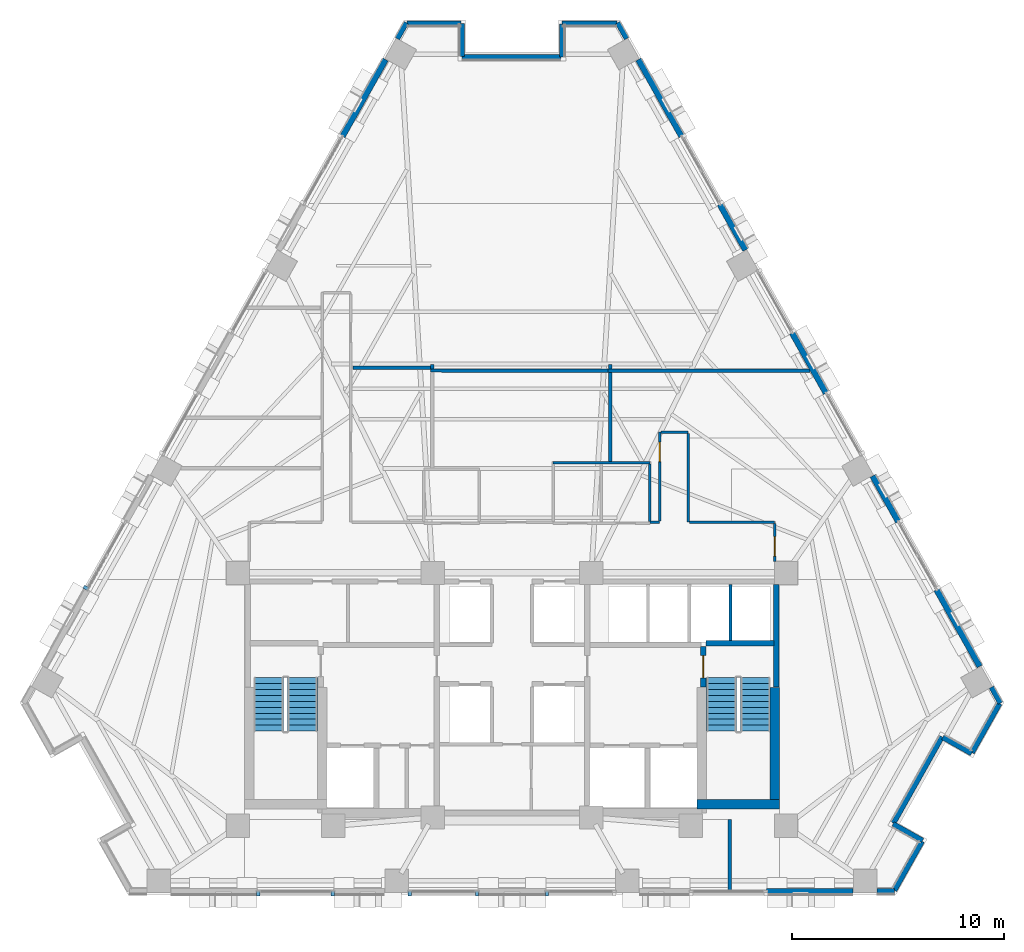
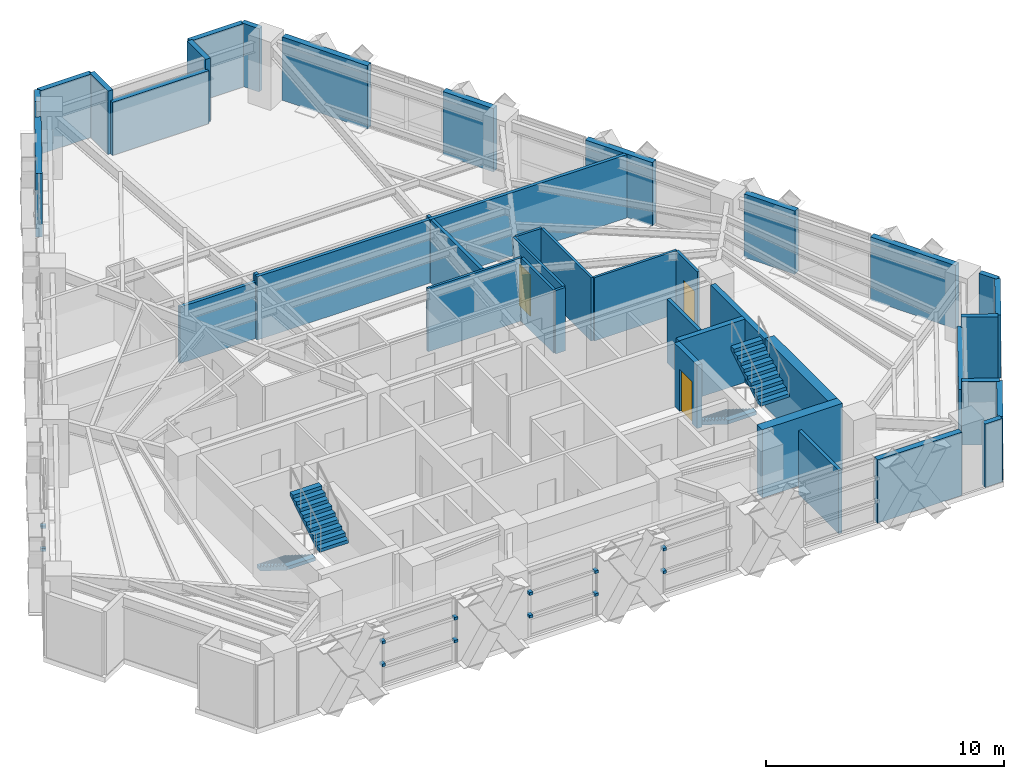
# One storey, part 9 of 14: 42 walls, 12 discrete accessories, 4 stair flights, 3 doors, 3 openings, 2 elements without a shape of their own.
"""IFC4 building model written with IfcOpenShell, lengths in metres."""

from ifc_helpers import new_model, si_unit, direction, frame, frame_2d, origin, origin_2d, place, context, subcontext, project, spatial, polyline, rectangle, outline, extrude, material, layer, layer_set, type_object, element, fill, aggregate, save


model = new_model("IFC4")

# Units and contexts
model_context = context("Model", 3, precision=1e-05, world=origin(), true_north=direction((0.0, 1.0)))
body_context = subcontext(model_context, "Body", "Model", "MODEL_VIEW")
ifc_project = project(units=[si_unit("LENGTHUNIT", "METRE"), si_unit("AREAUNIT", "SQUARE_METRE"), si_unit("VOLUMEUNIT", "CUBIC_METRE"), si_unit("PLANEANGLEUNIT", "RADIAN"), si_unit("MASSUNIT", "GRAM", prefix="KILO")], contexts=[model_context])

# Site, building, storey
site_placement = place(None, origin())
site = spatial("IfcSite", under=ifc_project, at=site_placement, CompositionType="ELEMENT")
building_placement = place(site_placement, origin())
building = spatial("IfcBuilding", under=site, at=building_placement, Name="Quenlor Broadcast Tower", CompositionType="ELEMENT")
storey_placement = place(building_placement, frame((0.0, 0.0, 123.0)))
storey = spatial("IfcBuildingStorey", under=building, at=storey_placement, Name="L33", CompositionType="ELEMENT", Elevation=123.0)

# Walls
ifc_material_1 = material(Name="Concrete C50/60", Category="concrete")
ifc_layer_1 = layer(ifc_material_1, 0.449951171875)
ifc_layer_set_1 = layer_set([ifc_layer_1], Name="Core Concrete C50/60 Shear Wall 450")
wall_type_1 = type_object("IfcWallType", Name="Core Concrete C50/60 Shear Wall 450", PredefinedType="SHEAR", material=ifc_layer_set_1)
wall_1_placement = place(storey_placement, frame((8.75, -15.72509765625, 0.0), z_axis=(0.0, 0.0, 1.0), x_axis=(1.0, 0.0, 0.0)))
element("IfcWall", 1, at=wall_1_placement, inside=storey, type_object=wall_type_1, Name="L33 Core Shear Wall WS-E2", PredefinedType="SHEAR", context=body_context, shape_type="SweptSolid", body=[
    extrude(rectangle(XDim=3.89990234375, YDim=0.449951171875, at=frame_2d((1.949951171875, 0.0))), origin(), (0.0, 0.0, 1.0), 3.5),
])
wall_2_placement = place(storey_placement, frame((12.425048828125, -15.72509765625, 0.0), z_axis=(0.0, 0.0, 1.0), x_axis=(0.0, 1.0, 0.0)))
element("IfcWall", 2, at=wall_2_placement, inside=storey, type_object=wall_type_1, Name="L33 Core Shear Wall WF-E", PredefinedType="SHEAR", context=body_context, shape_type="SweptSolid", body=[
    extrude(rectangle(XDim=5.525146484375, YDim=0.449951171875, at=frame_2d((2.7626953125, 0.0))), origin(), (0.0, 0.0, 1.0), 3.5),
])

# Wall, opening, door
ifc_material_2 = material(Name="Concrete C40/50", Category="concrete")
ifc_layer_2 = layer(ifc_material_2, 0.25)
ifc_layer_set_2 = layer_set([ifc_layer_2], Name="Fire Rated Concrete C40/50 Core Wall 250")
wall_type_2 = type_object("IfcWallType", Name="Fire Rated Concrete C40/50 Core Wall 250", PredefinedType="PARTITIONING", material=ifc_layer_set_2)
wall_3_placement = place(storey_placement, frame((9.0400390625, -10.179931640625, 0.0), z_axis=(0.0, 0.0, 1.0), x_axis=(0.0, 1.0, 0.0)))
wall_3 = element("IfcWall", 3, at=wall_3_placement, inside=storey, type_object=wall_type_2, Name="L33 Interior Wall CW-ST2-DR", PredefinedType="PARTITIONING", context=body_context, shape_type="SweptSolid", body=[
    extrude(rectangle(XDim=1.89990234375, YDim=0.25, at=frame_2d((0.949951171875, 0.0))), origin(), (0.0, 0.0, 1.0), 3.25),
])
opening_1_placement = place(wall_3_placement, frame((0.419921875, 0.0, 0.0)))
opening_1 = element("IfcOpeningElement", 4, at=opening_1_placement, cuts=wall_3, Name="Opening FD-1", PredefinedType="OPENING", context=body_context, shape_type="SweptSolid", body=[
    extrude(rectangle(XDim=1.050048828125, YDim=2.14990234375, at=frame_2d((0.52490234375, 1.074951171875))), frame((0.0, 0.135009765625, 0.0), z_axis=(0.0, -1.0, 0.0), x_axis=(1.0, 0.0, 0.0)), (0.0, 0.0, 1.0), 0.27001953125),
])
ifc_material_3 = material(Name="Fire Rated Steel Door Leaf", Category="steel")
door_type_1 = type_object("IfcDoorType", Name="Fire Isolated Stair Door 1050x2150", OperationType="NOTDEFINED", PredefinedType="DOOR", material=ifc_material_3)
door_1_placement = place(opening_1_placement, origin())
door_1 = element("IfcDoor", 5, at=door_1_placement, inside=storey, type_object=door_type_1, Name="L33 Door DR-ST2", OperationType="SINGLE_SWING_RIGHT", OverallHeight=2.14990234375, OverallWidth=1.050048828125, PredefinedType="DOOR", context=body_context, shape_type="SweptSolid", body=[
    extrude(rectangle(XDim=1.050048828125, YDim=2.14990234375, at=frame_2d((0.52490234375, 1.074951171875))), frame((0.0, 0.02490234375, 0.0), z_axis=(0.0, -1.0, 0.0), x_axis=(1.0, 0.0, 0.0)), (0.0, 0.0, 1.0), 0.050048828125),
])
fill(opening_1, door_1)

# Walls
wall_4_placement = place(storey_placement, frame((9.159912109375, -8.1201171875, 0.0), z_axis=(0.0, 0.0, 1.0), x_axis=(1.0, 0.0, 0.0)))
element("IfcWall", 6, at=wall_4_placement, inside=storey, type_object=wall_type_2, Name="L33 Interior Wall CW-ST2-N", PredefinedType="PARTITIONING", context=body_context, shape_type="SweptSolid", body=[
    extrude(rectangle(XDim=3.219970703125, YDim=0.25, at=frame_2d((1.60986328125, 0.0))), origin(), (0.0, 0.0, 1.0), 3.25),
])
wall_5_placement = place(storey_placement, frame((12.47998046875, -10.179931640625, 0.0), z_axis=(0.0, 0.0, 1.0), x_axis=(0.0, 1.0, 0.0)))
element("IfcWall", 7, at=wall_5_placement, inside=storey, type_object=wall_type_2, Name="L33 Interior Wall CW-ST2-E2", PredefinedType="PARTITIONING", context=body_context, shape_type="SweptSolid", body=[
    extrude(rectangle(XDim=4.827880859375, YDim=0.25, at=frame_2d((2.4140625, 0.0))), origin(), (0.0, 0.0, 1.0), 3.25),
])
ifc_material_4 = material(Name="Gypsum Fireboard Partition", Category="other")
ifc_layer_3 = layer(ifc_material_4, 0.159912109375)
ifc_layer_set_3 = layer_set([ifc_layer_3], Name="Fire Rated Shaft and Corridor Partition 160")
wall_type_3 = type_object("IfcWallType", Name="Fire Rated Shaft and Corridor Partition 160", PredefinedType="PARTITIONING", material=ifc_layer_set_3)
wall_6_placement = place(storey_placement, frame((10.324951171875, -7.992919921875, 0.0), z_axis=(0.0, 0.0, 1.0), x_axis=(0.0, 1.0, 0.0)))
element("IfcWall", 8, at=wall_6_placement, inside=storey, type_object=wall_type_3, Name="L33 Interior Wall CW-PLH-D3", PredefinedType="PARTITIONING", context=body_context, shape_type="SweptSolid", body=[
    extrude(rectangle(XDim=2.65283203125, YDim=0.159912109375, at=frame_2d((1.326416015625, 0.0))), origin(), (0.0, 0.0, 1.0), 3.25),
])
wall_7_placement = place(storey_placement, frame((14.08154296875, 4.75, 0.0), z_axis=(0.0, 0.0, 1.0), x_axis=(-0.999999926346, 0.000383808375, 0.0)))
element("IfcWall", 9, at=wall_7_placement, inside=storey, type_object=wall_type_3, Name="L33 Interior Wall PW-DV-02", PredefinedType="PARTITIONING", context=body_context, shape_type="SweptSolid", body=[
    extrude(rectangle(XDim=9.54150390625, YDim=0.159912109375, at=frame_2d((4.770751953125, 0.0))), origin(), (0.0, 0.0, 1.0), 3.25),
])
wall_8_placement = place(storey_placement, frame((4.5380859375, 4.75390625, 0.0), z_axis=(0.0, 0.0, 1.0), x_axis=(-0.999999181944, 0.001279105904, 0.0)))
element("IfcWall", 10, at=wall_8_placement, inside=storey, type_object=wall_type_3, Name="L33 Interior Wall PW-DV-03", PredefinedType="PARTITIONING", context=body_context, shape_type="SweptSolid", body=[
    extrude(rectangle(XDim=8.398193359375, YDim=0.159912109375, at=frame_2d((4.19921875, 0.0))), origin(), (0.0, 0.0, 1.0), 3.25),
])
wall_9_placement = place(storey_placement, frame((-3.79541015625, 4.89990234375, 0.0), z_axis=(0.0, 0.0, 1.0), x_axis=(-1.0, 0.0, 0.0)))
element("IfcWall", 11, at=wall_9_placement, inside=storey, type_object=wall_type_3, Name="L33 Interior Wall PW-DV-04", PredefinedType="PARTITIONING", context=body_context, shape_type="SweptSolid", body=[
    extrude(rectangle(XDim=3.724609375, YDim=0.159912109375, at=frame_2d((1.8623046875, 0.0))), origin(), (0.0, 0.0, 1.0), 2.891357421875),
])
wall_10_placement = place(storey_placement, frame((4.639892578125, 0.471923828125, 0.0), z_axis=(0.0, 0.0, 1.0), x_axis=(0.0, 1.0, 0.0)))
element("IfcWall", 12, at=wall_10_placement, inside=storey, type_object=wall_type_3, Name="L33 Interior Wall PW-DV-06", PredefinedType="PARTITIONING", context=body_context, shape_type="SweptSolid", body=[
    extrude(rectangle(XDim=4.19970703125, YDim=0.159912109375, at=frame_2d((2.099853515625, 0.0))), origin(), (0.0, 0.0, 1.0), 3.25),
])
wall_11_placement = place(storey_placement, frame((4.639892578125, 4.835693359375, 0.0), z_axis=(0.0, 0.0, 1.0), x_axis=(0.0, 1.0, 0.0)))
element("IfcWall", 13, at=wall_11_placement, inside=storey, type_object=wall_type_3, Name="L33 Interior Wall PW-DV-06S2", PredefinedType="PARTITIONING", context=body_context, shape_type="SweptSolid", body=[
    extrude(rectangle(XDim=0.204345703125, YDim=0.159912109375, at=frame_2d((0.10205078125, 0.0))), origin(), (0.0, 0.0, 1.0), 3.25),
])
wall_12_placement = place(storey_placement, frame((-3.760009765625, 4.8466796875, 0.0), z_axis=(0.0, 0.0, 1.0), x_axis=(0.0, 1.0, 0.0)))
element("IfcWall", 14, at=wall_12_placement, inside=storey, type_object=wall_type_3, Name="L33 Interior Wall PW-DV-07S2", PredefinedType="PARTITIONING", context=body_context, shape_type="SweptSolid", body=[
    extrude(rectangle(XDim=0.193359375, YDim=0.159912109375, at=frame_2d((0.0966796875, 0.0))), origin(), (0.0, 0.0, 1.0), 3.25),
])
wall_13_placement = place(storey_placement, frame((10.294921875, -19.830078125, 0.0), z_axis=(0.0, 0.0, 1.0), x_axis=(0.0, 1.0, 0.0)))
element("IfcWall", 15, at=wall_13_placement, inside=storey, type_object=wall_type_3, Name="L33 Interior Wall PW-DV-09", PredefinedType="PARTITIONING", context=body_context, shape_type="SweptSolid", body=[
    extrude(rectangle(XDim=3.380126953125, YDim=0.159912109375, at=frame_2d((1.68994140625, 0.0))), origin(), (0.0, 0.0, 1.0), 3.25),
])
ifc_material_5 = material(Name="Gypsum Plasterboard Partition", Category="other")
ifc_layer_4 = layer(ifc_material_5, 0.1201171875)
ifc_layer_set_4 = layer_set([ifc_layer_4], Name="Standard Office Partition 120")
wall_type_4 = type_object("IfcWallType", Name="Standard Office Partition 120", PredefinedType="PARTITIONING", material=ifc_layer_set_4)
wall_14_placement = place(storey_placement, frame((1.93994140625, 0.409912109375, 0.0), z_axis=(0.0, 0.0, 1.0), x_axis=(1.0, 0.0, 0.0)))
element("IfcWall", 16, at=wall_14_placement, inside=storey, type_object=wall_type_4, Name="L33 Interior Wall PW-WC-N", PredefinedType="PARTITIONING", context=body_context, shape_type="SweptSolid", body=[
    extrude(rectangle(XDim=4.570068359375, YDim=0.1201171875, at=frame_2d((2.28515625, 0.0))), origin(), (0.0, 0.0, 1.0), 3.25),
])
wall_15_placement = place(storey_placement, frame((6.510009765625, -2.3779296875, 0.0), z_axis=(0.0, 0.0, 1.0), x_axis=(0.0, 1.0, 0.0)))
element("IfcWall", 17, at=wall_15_placement, inside=storey, type_object=wall_type_4, Name="L33 Interior Wall PW-WC-E", PredefinedType="PARTITIONING", context=body_context, shape_type="SweptSolid", body=[
    extrude(rectangle(XDim=2.725830078125, YDim=0.1201171875, at=frame_2d((1.36279296875, 0.0))), origin(), (0.0, 0.0, 1.0), 3.25),
])
wall_16_placement = place(storey_placement, frame((6.511962890625, -2.39990234375, 0.0), z_axis=(0.0, 0.0, 1.0), x_axis=(1.0, 0.0, 0.0)))
element("IfcWall", 18, at=wall_16_placement, inside=storey, type_object=wall_type_4, Name="L33 Interior Wall PW-CR-06S3", PredefinedType="PARTITIONING", context=body_context, shape_type="SweptSolid", body=[
    extrude(rectangle(XDim=0.468017578125, YDim=0.1201171875, at=frame_2d((0.23388671875, 0.0))), origin(), (0.0, 0.0, 1.0), 3.25),
])

# Wall, opening, door
wall_17_placement = place(storey_placement, frame((6.97998046875, -2.337890625, 0.0), z_axis=(0.0, 0.0, 1.0), x_axis=(0.0, 1.0, 0.0)))
wall_17 = element("IfcWall", 19, at=wall_17_placement, inside=storey, type_object=wall_type_4, Name="L33 Interior Wall PW-CR-07", PredefinedType="PARTITIONING", context=body_context, shape_type="SweptSolid", body=[
    extrude(rectangle(XDim=4.18798828125, YDim=0.1201171875, at=frame_2d((2.093994140625, 0.0))), origin(), (0.0, 0.0, 1.0), 3.25),
])
opening_2_placement = place(wall_17_placement, frame((2.802978515625, 0.0, 0.0)))
opening_2 = element("IfcOpeningElement", 20, at=opening_2_placement, cuts=wall_17, Name="Opening ID-1", PredefinedType="OPENING", context=body_context, shape_type="SweptSolid", body=[
    extrude(rectangle(XDim=0.919921875, YDim=2.1201171875, at=frame_2d((0.4599609375, 1.06005859375))), frame((0.0, 0.070068359375, 0.0), z_axis=(0.0, -1.0, 0.0), x_axis=(1.0, 0.0, 0.0)), (0.0, 0.0, 1.0), 0.14013671875),
])
ifc_material_6 = material(Name="Solid Core Timber Oak", Category="wood")
door_type_2 = type_object("IfcDoorType", Name="Single Leaf Timber Office Door 920x2120", OperationType="NOTDEFINED", PredefinedType="DOOR", material=ifc_material_6)
door_2_placement = place(opening_2_placement, origin())
door_2 = element("IfcDoor", 21, at=door_2_placement, inside=storey, type_object=door_type_2, Name="L33 Door DR-RM03", OperationType="SINGLE_SWING_RIGHT", OverallHeight=2.1201171875, OverallWidth=0.919921875, PredefinedType="DOOR", context=body_context, shape_type="SweptSolid", body=[
    extrude(rectangle(XDim=0.919921875, YDim=2.1201171875, at=frame_2d((0.4599609375, 1.06005859375))), frame((0.0, 0.02490234375, 0.0), z_axis=(0.0, -1.0, 0.0), x_axis=(1.0, 0.0, 0.0)), (0.0, 0.0, 1.0), 0.050048828125),
])
fill(opening_2, door_2)

# Walls
wall_18_placement = place(storey_placement, frame((7.0419921875, 1.85009765625, 0.0), z_axis=(0.0, 0.0, 1.0), x_axis=(1.0, 0.0, 0.0)))
element("IfcWall", 22, at=wall_18_placement, inside=storey, type_object=wall_type_4, Name="L33 Interior Wall PW-CR-08", PredefinedType="PARTITIONING", context=body_context, shape_type="SweptSolid", body=[
    extrude(rectangle(XDim=1.278076171875, YDim=0.1201171875, at=frame_2d((0.63916015625, 0.0))), origin(), (0.0, 0.0, 1.0), 3.25),
])
wall_19_placement = place(storey_placement, frame((8.320068359375, 1.7880859375, 0.0), z_axis=(0.0, 0.0, 1.0), x_axis=(0.0, -1.0, 0.0)))
element("IfcWall", 23, at=wall_19_placement, inside=storey, type_object=wall_type_4, Name="L33 Interior Wall PW-CR-09", PredefinedType="PARTITIONING", context=body_context, shape_type="SweptSolid", body=[
    extrude(rectangle(XDim=4.18798828125, YDim=0.1201171875, at=frame_2d((2.093994140625, 0.0))), origin(), (0.0, 0.0, 1.0), 3.25),
])
wall_20_placement = place(storey_placement, frame((8.382080078125, -2.39990234375, 0.0), z_axis=(0.0, 0.0, 1.0), x_axis=(1.0, 0.0, 0.0)))
element("IfcWall", 24, at=wall_20_placement, inside=storey, type_object=wall_type_4, Name="L33 Interior Wall PW-CR-10", PredefinedType="PARTITIONING", context=body_context, shape_type="SweptSolid", body=[
    extrude(rectangle(XDim=4.02783203125, YDim=0.1201171875, at=frame_2d((2.013916015625, 0.0))), origin(), (0.0, 0.0, 1.0), 3.25),
])

# Wall, opening, door
wall_21_placement = place(storey_placement, frame((12.409912109375, -2.4619140625, 0.0), z_axis=(0.0, 0.0, 1.0), x_axis=(0.0, -1.0, 0.0)))
wall_21 = element("IfcWall", 25, at=wall_21_placement, inside=storey, type_object=wall_type_4, Name="L33 Interior Wall PW-CR-11", PredefinedType="PARTITIONING", context=body_context, shape_type="SweptSolid", body=[
    extrude(rectangle(XDim=1.7861328125, YDim=0.1201171875, at=frame_2d((0.89306640625, 0.0))), origin(), (0.0, 0.0, 1.0), 3.25),
])
opening_3_placement = place(wall_21_placement, frame((0.623046875, 0.0, 0.0)))
opening_3 = element("IfcOpeningElement", 26, at=opening_3_placement, cuts=wall_21, Name="Opening ID-1", PredefinedType="OPENING", context=body_context, shape_type="SweptSolid", body=[
    extrude(rectangle(XDim=0.919921875, YDim=2.1201171875, at=frame_2d((0.4599609375, 1.06005859375))), frame((0.0, 0.070068359375, 0.0), z_axis=(0.0, -1.0, 0.0), x_axis=(1.0, 0.0, 0.0)), (0.0, 0.0, 1.0), 0.14013671875),
])
door_3_placement = place(opening_3_placement, origin())
door_3 = element("IfcDoor", 27, at=door_3_placement, inside=storey, type_object=door_type_2, Name="L33 Door DR-RM07", OperationType="SINGLE_SWING_LEFT", OverallHeight=2.1201171875, OverallWidth=0.919921875, PredefinedType="DOOR", context=body_context, shape_type="SweptSolid", body=[
    extrude(rectangle(XDim=0.919921875, YDim=2.1201171875, at=frame_2d((0.4599609375, 1.06005859375))), frame((0.0, 0.02490234375, 0.0), z_axis=(0.0, -1.0, 0.0), x_axis=(1.0, 0.0, 0.0)), (0.0, 0.0, 1.0), 0.050048828125),
])
fill(opening_3, door_3)

# Walls
ifc_material_7 = material(Name="Precast concrete C40/50", Category="concrete")
ifc_layer_5 = layer(ifc_material_7, 0.239990234375)
ifc_layer_set_5 = layer_set([ifc_layer_5], Name="Terrace Threshold Precast Concrete C40/50 Wall 240")
wall_type_5 = type_object("IfcWallType", Name="Terrace Threshold Precast Concrete C40/50 Wall 240", PredefinedType="STANDARD", material=ifc_layer_set_5)
wall_22_placement = place(storey_placement, frame((18.083984375, -19.840087890625, 0.0), z_axis=(0.0, 0.0, 1.0), x_axis=(-1.0, 0.0, 0.0)))
element("IfcWall", 28, at=wall_22_placement, inside=storey, type_object=wall_type_5, Name="L33 Exterior Wall L33-SHD-SS0", PredefinedType="STANDARD", context=body_context, shape_type="SweptSolid", body=[
    extrude(rectangle(XDim=0.83642578125, YDim=0.239990234375, at=frame_2d((0.418212890625, 0.0))), origin(), (0.0, 0.0, 1.0), 3.25),
])
for number, where, z_axis, x_axis, name in (
    (29, (4.992919921875, 21.197265625, 0.0), (0.0, 0.0, 1.0), (0.490355003566, -0.871522788272, 0.0), "L33 Exterior Wall L33-SHD-NES0"),
    (30, (22.65380859375, -10.199951171875, 0.0), (0.0, 0.0, 1.0), (0.490355003566, -0.871522788272, 0.0), "L33 Exterior Wall L33-SHD-NES1"),
    (31, (-5.417236328125, 20.443115234375, 0.0), (0.0, 0.0, 1.0), (0.490355003566, 0.871522788272, 0.0), "L33 Exterior Wall L33-SHD-NWS1"),
):
    element("IfcWall", number, at=place(storey_placement, frame(where, z_axis=z_axis, x_axis=x_axis)), inside=storey, type_object=wall_type_5, Name=name, PredefinedType="STANDARD", context=body_context, shape_type="SweptSolid", body=[
        extrude(rectangle(XDim=0.865234375, YDim=0.239990234375, at=frame_2d((0.4326171875, 0.0))), origin(), (0.0, 0.0, 1.0), 3.25),
    ])
wall_23_placement = place(storey_placement, frame((19.39892578125, -17.4423828125, 0.0), z_axis=(0.0, 0.0, 1.0), x_axis=(-0.871575537125, 0.490261239633, 0.0)))
element("IfcWall", 32, at=wall_23_placement, inside=storey, type_object=wall_type_5, Name="L33 Exterior Wall L33-CNR-01", PredefinedType="STANDARD", context=body_context, shape_type="SweptSolid", body=[
    extrude(rectangle(XDim=1.60009765625, YDim=0.239990234375, at=frame_2d((0.800048828125, 0.0))), origin(), (0.0, 0.0, 1.0), 3.25),
])
wall_24_placement = place(storey_placement, frame((18.024169921875, -16.623046875, 0.0), z_axis=(0.0, 0.0, 1.0), x_axis=(0.490273623647, 0.871568571001, 0.0)))
element("IfcWall", 33, at=wall_24_placement, inside=storey, type_object=wall_type_5, Name="L33 Exterior Wall L33-CNR-02", PredefinedType="STANDARD", context=body_context, shape_type="SweptSolid", body=[
    extrude(rectangle(XDim=4.679931640625, YDim=0.239990234375, at=frame_2d((2.33984375, 0.0))), origin(), (0.0, 0.0, 1.0), 2.7216796875),
])
wall_25_placement = place(storey_placement, frame((20.353515625, -12.563720703125, 0.0), z_axis=(0.0, 0.0, 1.0), x_axis=(0.871546278971, -0.490313250496, 0.0)))
element("IfcWall", 34, at=wall_25_placement, inside=storey, type_object=wall_type_5, Name="L33 Exterior Wall L33-CNR-03", PredefinedType="STANDARD", context=body_context, shape_type="SweptSolid", body=[
    extrude(rectangle(XDim=1.56005859375, YDim=0.239990234375, at=frame_2d((0.780029296875, 0.0))), origin(), (0.0, 0.0, 1.0), 3.25),
])
wall_26_placement = place(storey_placement, frame((21.732666015625, -13.293701171875, 0.0), z_axis=(0.0, 0.0, 1.0), x_axis=(0.490265590412, 0.871573089797, 0.0)))
element("IfcWall", 35, at=wall_26_placement, inside=storey, type_object=wall_type_5, Name="L33 Exterior Wall L33-CNR-04", PredefinedType="STANDARD", context=body_context, shape_type="SweptSolid", body=[
    extrude(rectangle(XDim=2.6640625, YDim=0.239990234375, at=frame_2d((1.33203125, 0.0))), origin(), (0.0, 0.0, 1.0), 3.25),
])
wall_27_placement = place(storey_placement, frame((4.95947265625, 21.16796875, 0.0), z_axis=(0.0, 0.0, 1.0), x_axis=(-1.0, 0.0, 0.0)))
element("IfcWall", 36, at=wall_27_placement, inside=storey, type_object=wall_type_5, Name="L33 Exterior Wall L33-CNR-06", PredefinedType="STANDARD", context=body_context, shape_type="SweptSolid", body=[
    extrude(rectangle(XDim=2.599365234375, YDim=0.239990234375, at=frame_2d((1.2998046875, 0.0))), origin(), (0.0, 0.0, 1.0), 3.25),
])
wall_28_placement = place(storey_placement, frame((2.360107421875, 21.1279296875, 0.0), z_axis=(0.0, 0.0, 1.0), x_axis=(0.0, -1.0, 0.0)))
element("IfcWall", 37, at=wall_28_placement, inside=storey, type_object=wall_type_5, Name="L33 Exterior Wall L33-CNR-07", PredefinedType="STANDARD", context=body_context, shape_type="SweptSolid", body=[
    extrude(rectangle(XDim=1.559814453125, YDim=0.239990234375, at=frame_2d((0.77978515625, 0.0))), origin(), (0.0, 0.0, 1.0), 3.25),
])
wall_29_placement = place(storey_placement, frame((2.320068359375, 19.568115234375, 0.0), z_axis=(0.0, 0.0, 1.0), x_axis=(-1.0, 0.0, 0.0)))
element("IfcWall", 38, at=wall_29_placement, inside=storey, type_object=wall_type_5, Name="L33 Exterior Wall L33-CNR-08", PredefinedType="STANDARD", context=body_context, shape_type="SweptSolid", body=[
    extrude(rectangle(XDim=4.68017578125, YDim=0.239990234375, at=frame_2d((2.340087890625, 0.0))), origin(), (0.0, 0.0, 1.0), 2.7216796875),
])
wall_30_placement = place(storey_placement, frame((-2.360107421875, 19.60791015625, 0.0), z_axis=(0.0, 0.0, 1.0), x_axis=(0.0, 1.0, 0.0)))
element("IfcWall", 39, at=wall_30_placement, inside=storey, type_object=wall_type_5, Name="L33 Exterior Wall L33-CNR-09", PredefinedType="STANDARD", context=body_context, shape_type="SweptSolid", body=[
    extrude(rectangle(XDim=1.56005859375, YDim=0.239990234375, at=frame_2d((0.780029296875, 0.0))), origin(), (0.0, 0.0, 1.0), 3.25),
])
wall_31_placement = place(storey_placement, frame((-2.39990234375, 21.16796875, 0.0), z_axis=(0.0, 0.0, 1.0), x_axis=(-1.0, 0.0, 0.0)))
element("IfcWall", 40, at=wall_31_placement, inside=storey, type_object=wall_type_5, Name="L33 Exterior Wall L33-CNR-10", PredefinedType="STANDARD", context=body_context, shape_type="SweptSolid", body=[
    extrude(rectangle(XDim=2.5595703125, YDim=0.239990234375, at=frame_2d((1.27978515625, 0.0))), origin(), (0.0, 0.0, 1.0), 3.25),
])
wall_32_placement = place(storey_placement, frame((18.074951171875, -19.79638671875, 0.0), z_axis=(0.0, 0.0, 1.0), x_axis=(0.490248170584, 0.871582888335, 0.0)))
element("IfcWall", 41, at=wall_32_placement, inside=storey, type_object=wall_type_5, Name="L33 Exterior Wall L33-CNR-18", PredefinedType="STANDARD", context=body_context, shape_type="SweptSolid", body=[
    extrude(rectangle(XDim=2.660888671875, YDim=0.239990234375, at=frame_2d((1.33056640625, 0.0))), origin(), (0.0, 0.0, 1.0), 3.25),
])
ifc_material_8 = material(Name="Precast concrete C40/50", Category="concrete")
ifc_layer_6 = layer(ifc_material_8, 0.280029296875)
ifc_layer_set_6 = layer_set([ifc_layer_6], Name="Terracotta Precast Concrete C40/50 Facade Wall 280")
wall_type_6 = type_object("IfcWallType", Name="Terracotta Precast Concrete C40/50 Facade Wall 280", PredefinedType="STANDARD", material=ifc_layer_set_6)
wall_33_placement = place(storey_placement, frame((16.117431640625, -19.840087890625, 0.0), z_axis=(0.0, 0.0, 1.0), x_axis=(-1.0, 0.0, 0.0)))
element("IfcWall", 42, at=wall_33_placement, inside=storey, type_object=wall_type_6, Name="L33 Exterior Wall L33-SA-SP1", PredefinedType="STANDARD", context=body_context, shape_type="SweptSolid", body=[
    extrude(rectangle(XDim=4.09814453125, YDim=0.280029296875, at=frame_2d((2.049072265625, 0.0))), origin(), (0.0, 0.0, 1.0), 3.25),
])
wall_34_placement = place(storey_placement, frame((5.97119140625, 19.458251953125, 0.0), z_axis=(0.0, 0.0, 1.0), x_axis=(0.490280725514, -0.87156457603, 0.0)))
element("IfcWall", 43, at=wall_34_placement, inside=storey, type_object=wall_type_6, Name="L33 Exterior Wall L33-NEA-SP1", PredefinedType="STANDARD", context=body_context, shape_type="SweptSolid", body=[
    extrude(rectangle(XDim=4.1640625, YDim=0.280029296875, at=frame_2d((2.08203125, 0.0))), origin(), (0.0, 0.0, 1.0), 3.25),
])
for number, where, z_axis, x_axis, name in (
    (44, (9.819091796875, 12.6171875, 0.0), (0.0, 0.0, 1.0), (0.490303410255, -0.871551814807, 0.0), "L33 Exterior Wall L33-NEA-SP2"),
    (45, (17.0390625, -0.218017578125, 0.0), (0.0, 0.0, 1.0), (0.490186269625, -0.871617703509, 0.0), "L33 Exterior Wall L33-NEC-SP1"),
):
    element("IfcWall", number, at=place(storey_placement, frame(where, z_axis=z_axis, x_axis=x_axis)), inside=storey, type_object=wall_type_6, Name=name, PredefinedType="STANDARD", context=body_context, shape_type="SweptSolid", body=[
        extrude(rectangle(XDim=2.473876953125, YDim=0.280029296875, at=frame_2d((1.23681640625, 0.0))), origin(), (0.0, 0.0, 1.0), 3.25),
    ])
wall_35_placement = place(storey_placement, frame((20.058349609375, -5.585693359375, 0.0), z_axis=(0.0, 0.0, 1.0), x_axis=(0.490255672477, -0.871578668626, 0.0)))
element("IfcWall", 46, at=wall_35_placement, inside=storey, type_object=wall_type_6, Name="L33 Exterior Wall L33-NEC-SP2", PredefinedType="STANDARD", context=body_context, shape_type="SweptSolid", body=[
    extrude(rectangle(XDim=4.1640625, YDim=0.280029296875, at=frame_2d((2.08203125, 0.0))), origin(), (0.0, 0.0, 1.0), 3.25),
])
wall_36_placement = place(storey_placement, frame((13.232177734375, 6.549560546875, 0.0), z_axis=(0.0, 0.0, 1.0), x_axis=(0.490310760781, -0.871547679626, 0.0)))
element("IfcWall", 47, at=wall_36_placement, inside=storey, type_object=wall_type_6, Name="L33 Exterior Wall L33-NE-SP1", PredefinedType="STANDARD", context=body_context, shape_type="SweptSolid", body=[
    extrude(rectangle(XDim=3.27685546875, YDim=0.280029296875, at=frame_2d((1.638427734375, 0.0))), origin(), (0.0, 0.0, 1.0), 3.25),
])
wall_37_placement = place(storey_placement, frame((-8.0126953125, 15.8291015625, 0.0), z_axis=(0.0, 0.0, 1.0), x_axis=(0.490280725514, 0.87156457603, 0.0)))
element("IfcWall", 48, at=wall_37_placement, inside=storey, type_object=wall_type_6, Name="L33 Exterior Wall L33-NWC-SP2", PredefinedType="STANDARD", context=body_context, shape_type="SweptSolid", body=[
    extrude(rectangle(XDim=4.1640625, YDim=0.280029296875, at=frame_2d((2.08203125, 0.0))), origin(), (0.0, 0.0, 1.0), 3.25),
])

# Stair, stair flights
ifc_material_9 = material(Name="Precast concrete C40/50", Category="concrete")
stair_type = type_object("IfcStairType", Name="Precast Concrete C40/50 Dogleg Stair H350", PredefinedType="HALF_TURN_STAIR", material=ifc_material_9)
stair_1_placement = place(storey_placement, origin())
stair_1 = element("IfcStair", 49, at=stair_1_placement, inside=storey, type_object=stair_type, Name="L33 West Core Fire-Isolated Exit Stair ST-1", PredefinedType="HALF_TURN_STAIR")
ifc_material_10 = material(Name="Precast concrete C40/50", Category="concrete")
ifc_layer_7 = layer(ifc_material_10, 0.159912109375)
ifc_layer_set_7 = layer_set([ifc_layer_7], Name="Precast Concrete C40/50 Stair Flight H350")
stair_flight_type = type_object("IfcStairFlightType", Name="Precast Concrete C40/50 Stair Flight H350", PredefinedType="STRAIGHT", material=ifc_layer_set_7)
stair_flight_1_placement = place(storey_placement, frame((-11.5, -9.75, 0.0), z_axis=(0.0, 0.0, 1.0), x_axis=(0.0, -1.0, 0.0)))
stair_flight_1 = element("IfcStairFlight", 50, at=stair_flight_1_placement, type_object=stair_flight_type, Name="ST-1 flight 1", NumberOfRisers=10, NumberOfTreads=9, PredefinedType="STRAIGHT", RiserHeight=0.175, TreadLength=0.28, context=body_context, shape_type="SweptSolid", body=[
    extrude(outline(polyline([(0.0, 0.0), (0.0, 0.175048828125), (0.280029296875, 0.175048828125), (0.280029296875, 0.35009765625), (0.56005859375, 0.35009765625), (0.56005859375, 0.52490234375), (0.840087890625, 0.52490234375), (0.840087890625, 0.699951171875), (1.1201171875, 0.699951171875), (1.1201171875, 0.875), (1.39990234375, 0.875), (1.39990234375, 1.050048828125), (1.679931640625, 1.050048828125), (1.679931640625, 1.22509765625), (1.9599609375, 1.22509765625), (1.9599609375, 1.39990234375), (2.239990234375, 1.39990234375), (2.239990234375, 1.574951171875), (2.52001953125, 1.574951171875), (2.52001953125, 1.75), (2.52001953125, 1.398193359375), (0.28271484375, 0.0), (0.0, 0.0)])), frame((0.0, 0.699951171875, 0.0), z_axis=(0.0, -1.0, 0.0), x_axis=(1.0, 0.0, 0.0)), (0.0, 0.0, 1.0), 1.39990234375),
])
stair_flight_2_placement = place(storey_placement, frame((-9.89990234375, -12.27001953125, 1.75), z_axis=(0.0, 0.0, 1.0), x_axis=(0.0, 1.0, 0.0)))
stair_flight_2 = element("IfcStairFlight", 51, at=stair_flight_2_placement, type_object=stair_flight_type, Name="ST-1 flight 2", NumberOfRisers=10, NumberOfTreads=9, PredefinedType="STRAIGHT", RiserHeight=0.175, TreadLength=0.28, context=body_context, shape_type="SweptSolid", body=[
    extrude(outline(polyline([(0.0, 0.0), (0.0, 0.175048828125), (0.280029296875, 0.175048828125), (0.280029296875, 0.35009765625), (0.56005859375, 0.35009765625), (0.56005859375, 0.52490234375), (0.840087890625, 0.52490234375), (0.840087890625, 0.699951171875), (1.1201171875, 0.699951171875), (1.1201171875, 0.875), (1.39990234375, 0.875), (1.39990234375, 1.050048828125), (1.679931640625, 1.050048828125), (1.679931640625, 1.22509765625), (1.9599609375, 1.22509765625), (1.9599609375, 1.39990234375), (2.239990234375, 1.39990234375), (2.239990234375, 1.574951171875), (2.52001953125, 1.574951171875), (2.52001953125, 1.75), (2.52001953125, 1.398193359375), (0.28271484375, 0.0), (0.0, 0.0)])), frame((0.0, 0.699951171875, 0.0), z_axis=(0.0, -1.0, 0.0), x_axis=(1.0, 0.0, 0.0)), (0.0, 0.0, 1.0), 1.39990234375),
])
aggregate(stair_1, [stair_flight_1, stair_flight_2])

stair_2_placement = place(storey_placement, origin())
stair_2 = element("IfcStair", 52, at=stair_2_placement, inside=storey, type_object=stair_type, Name="L33 East Core Fire-Isolated Exit Stair ST-2", PredefinedType="HALF_TURN_STAIR")
stair_flight_3_placement = place(storey_placement, frame((9.89990234375, -9.75, 0.0), z_axis=(0.0, 0.0, 1.0), x_axis=(0.0, -1.0, 0.0)))
stair_flight_3 = element("IfcStairFlight", 53, at=stair_flight_3_placement, type_object=stair_flight_type, Name="ST-2 flight 1", NumberOfRisers=10, NumberOfTreads=9, PredefinedType="STRAIGHT", RiserHeight=0.175, TreadLength=0.28, context=body_context, shape_type="SweptSolid", body=[
    extrude(outline(polyline([(0.0, 0.0), (0.0, 0.175048828125), (0.280029296875, 0.175048828125), (0.280029296875, 0.35009765625), (0.56005859375, 0.35009765625), (0.56005859375, 0.52490234375), (0.840087890625, 0.52490234375), (0.840087890625, 0.699951171875), (1.1201171875, 0.699951171875), (1.1201171875, 0.875), (1.39990234375, 0.875), (1.39990234375, 1.050048828125), (1.679931640625, 1.050048828125), (1.679931640625, 1.22509765625), (1.9599609375, 1.22509765625), (1.9599609375, 1.39990234375), (2.239990234375, 1.39990234375), (2.239990234375, 1.574951171875), (2.52001953125, 1.574951171875), (2.52001953125, 1.75), (2.52001953125, 1.398193359375), (0.28271484375, 0.0), (0.0, 0.0)])), frame((0.0, 0.699951171875, 0.0), z_axis=(0.0, -1.0, 0.0), x_axis=(1.0, 0.0, 0.0)), (0.0, 0.0, 1.0), 1.39990234375),
])
stair_flight_4_placement = place(storey_placement, frame((11.5, -12.27001953125, 1.75), z_axis=(0.0, 0.0, 1.0), x_axis=(0.0, 1.0, 0.0)))
stair_flight_4 = element("IfcStairFlight", 54, at=stair_flight_4_placement, type_object=stair_flight_type, Name="ST-2 flight 2", NumberOfRisers=10, NumberOfTreads=9, PredefinedType="STRAIGHT", RiserHeight=0.175, TreadLength=0.28, context=body_context, shape_type="SweptSolid", body=[
    extrude(outline(polyline([(0.0, 0.0), (0.0, 0.175048828125), (0.280029296875, 0.175048828125), (0.280029296875, 0.35009765625), (0.56005859375, 0.35009765625), (0.56005859375, 0.52490234375), (0.840087890625, 0.52490234375), (0.840087890625, 0.699951171875), (1.1201171875, 0.699951171875), (1.1201171875, 0.875), (1.39990234375, 0.875), (1.39990234375, 1.050048828125), (1.679931640625, 1.050048828125), (1.679931640625, 1.22509765625), (1.9599609375, 1.22509765625), (1.9599609375, 1.39990234375), (2.239990234375, 1.39990234375), (2.239990234375, 1.574951171875), (2.52001953125, 1.574951171875), (2.52001953125, 1.75), (2.52001953125, 1.398193359375), (0.28271484375, 0.0), (0.0, 0.0)])), frame((0.0, 0.699951171875, 0.0), z_axis=(0.0, -1.0, 0.0), x_axis=(1.0, 0.0, 0.0)), (0.0, 0.0, 1.0), 1.39990234375),
])
aggregate(stair_2, [stair_flight_3, stair_flight_4])

# Discrete accessories
ifc_material_11 = material(Name="Aluminium 6063-T6", Category="aluminium")
discrete_accessory_type = type_object("IfcDiscreteAccessoryType", Name="Stainless Mullion Baguette Support Bracket", PredefinedType="BRACKET", material=ifc_material_11)
for number, where, z_axis, x_axis, name in (
    (55, (-8.47119140625, -19.93994140625, 1.10009765625), (0.0, 0.0, 1.0), (-1.0, 0.0, 0.0), "L33 Baguette Mullion Bracket 1.1"),
    (56, (-11.981689453125, -19.93994140625, 1.10009765625), (0.0, 0.0, 1.0), (-1.0, 0.0, 0.0), "L33 Baguette Mullion Bracket 1.2"),
    (57, (-8.47119140625, -19.93994140625, 2.27001953125), (0.0, 0.0, 1.0), (-1.0, 0.0, 0.0), "L33 Baguette Mullion Bracket 2.1"),
    (58, (-11.981689453125, -19.93994140625, 2.27001953125), (0.0, 0.0, 1.0), (-1.0, 0.0, 0.0), "L33 Baguette Mullion Bracket 2.2"),
    (59, (1.653564453125, -19.93994140625, 1.10009765625), (0.0, 0.0, 1.0), (-1.0, 0.0, 0.0), "L33 Baguette Mullion Bracket 1.2"),
    (60, (1.653564453125, -19.93994140625, 2.27001953125), (0.0, 0.0, 1.0), (-1.0, 0.0, 0.0), "L33 Baguette Mullion Bracket 2.2"),
    (61, (-1.653564453125, -19.93994140625, 1.10009765625), (0.0, 0.0, 1.0), (-1.0, 0.0, 0.0), "L33 Baguette Mullion Bracket 1.1"),
    (62, (-4.835693359375, -19.93994140625, 1.10009765625), (0.0, 0.0, 1.0), (-1.0, 0.0, 0.0), "L33 Baguette Mullion Bracket 1.2"),
    (63, (-1.653564453125, -19.93994140625, 2.27001953125), (0.0, 0.0, 1.0), (-1.0, 0.0, 0.0), "L33 Baguette Mullion Bracket 2.1"),
    (64, (-4.835693359375, -19.93994140625, 2.27001953125), (0.0, 0.0, 1.0), (-1.0, 0.0, 0.0), "L33 Baguette Mullion Bracket 2.2"),
    (65, (-20.127197265625, -5.504150390625, 1.10009765625), (0.0, 0.0, 1.0), (0.490277158114, 0.871566582787, 0.0), "L33 Baguette Mullion Bracket 1.1"),
    (66, (-20.127197265625, -5.504150390625, 2.27001953125), (0.0, 0.0, 1.0), (0.490277158114, 0.871566582787, 0.0), "L33 Baguette Mullion Bracket 2.1"),
):
    element("IfcDiscreteAccessory", number, at=place(storey_placement, frame(where, z_axis=z_axis, x_axis=x_axis)), inside=storey, type_object=discrete_accessory_type, Name=name, PredefinedType="BRACKET", context=body_context, shape_type="SweptSolid", body=[
        extrude(rectangle(XDim=0.159912109375, YDim=0.239990234375, at=origin_2d()), origin(), (0.0, 0.0, 1.0), 0.139892578125),
    ])

save(model, "model.ifc")
